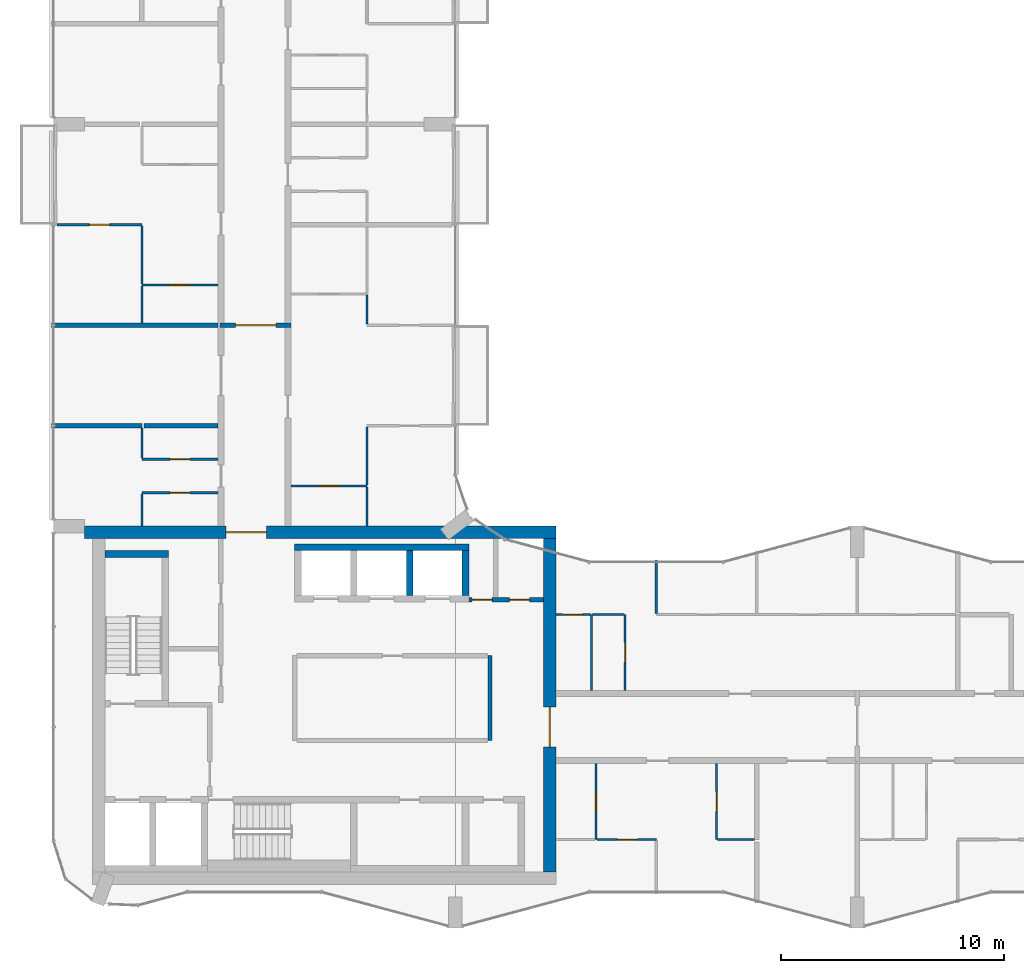
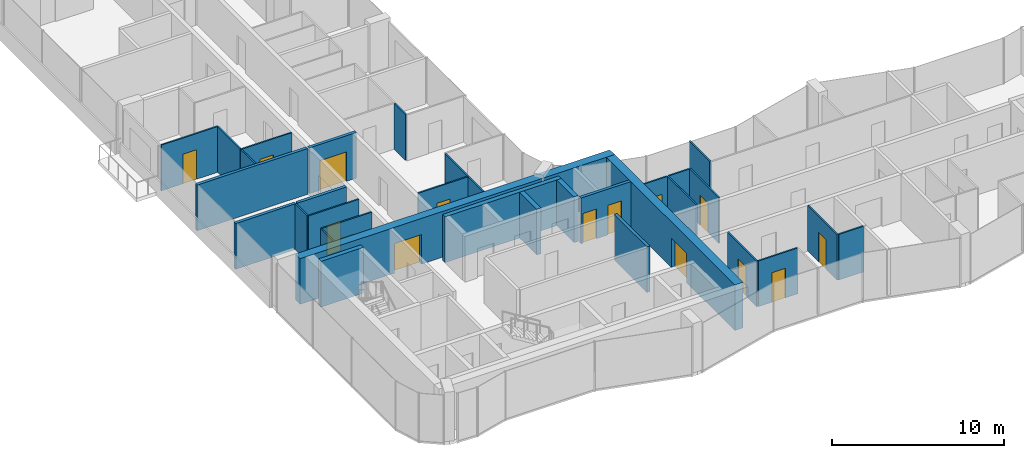
# One storey, part 10 of 15: 33 walls, 15 doors, 15 openings.
"""IFC4 building model written with IfcOpenShell, lengths in metres."""

from ifc_helpers import new_model, si_unit, direction, frame, frame_2d, origin, place, context, subcontext, project, spatial, rectangle, extrude, material, layer, layer_set, type_object, element, fill, save


model = new_model("IFC4")

# Units and contexts
model_context = context("Model", 3, precision=1e-05, world=origin(), true_north=direction((0.0, 1.0)))
body_context = subcontext(model_context, "Body", "Model", "MODEL_VIEW")
ifc_project = project(units=[si_unit("LENGTHUNIT", "METRE"), si_unit("AREAUNIT", "SQUARE_METRE"), si_unit("VOLUMEUNIT", "CUBIC_METRE"), si_unit("PLANEANGLEUNIT", "RADIAN"), si_unit("MASSUNIT", "GRAM", prefix="KILO")], contexts=[model_context])

# Site, building, storey
site_placement = place(None, origin())
site = spatial("IfcSite", under=ifc_project, at=site_placement, CompositionType="ELEMENT")
building_placement = place(site_placement, origin())
building = spatial("IfcBuilding", under=site, at=building_placement, Name="Plateau Cross Towers", CompositionType="ELEMENT")
storey_placement = place(building_placement, frame((0.0, 0.0, 204.89990234375)))
storey = spatial("IfcBuildingStorey", under=building, at=storey_placement, Name="L53", CompositionType="ELEMENT", Elevation=204.89990234375)

# Wall
ifc_material_1 = material(Name="Concrete block, plastered both sides", Category="concrete")
ifc_layer_1 = layer(ifc_material_1, 0.199951171875)
ifc_layer_set_1 = layer_set([ifc_layer_1], Name="Concrete block, plastered both sides")
wall_type_1 = type_object("IfcWallType", Name="Core partition 200", PredefinedType="PARTITIONING", material=ifc_layer_set_1)
wall_1_placement = place(storey_placement, frame((19.550048828125, 8.39990234375, 0.0), z_axis=(0.0, 0.0, 1.0), x_axis=(0.0, 1.0, 0.0)))
element("IfcWall", 1, at=wall_1_placement, inside=storey, type_object=wall_type_1, Name="Core partition", PredefinedType="PARTITIONING", context=body_context, shape_type="SweptSolid", body=[
    extrude(rectangle(XDim=3.800048828125, YDim=0.199951171875, at=frame_2d((1.89990234375, 0.0))), origin(), (0.0, 0.0, 1.0), 3.25),
])

# Wall, openings, doors
wall_2_placement = place(storey_placement, frame((18.60009765625, 14.699951171875, 0.0), z_axis=(0.0, 0.0, 1.0), x_axis=(1.0, 0.0, 0.0)))
wall_2 = element("IfcWall", 2, at=wall_2_placement, inside=storey, type_object=wall_type_1, Name="Core partition", PredefinedType="PARTITIONING", context=body_context, shape_type="SweptSolid", body=[
    extrude(rectangle(XDim=3.349853515625, YDim=0.199951171875, at=frame_2d((1.6748046875, 0.0))), origin(), (0.0, 0.0, 1.0), 3.25),
])
opening_1_placement = place(wall_2_placement, frame((0.14990234375, 0.0, 0.0)))
opening_1 = element("IfcOpeningElement", 3, at=opening_1_placement, cuts=wall_2, Name="Opening RD2", PredefinedType="OPENING", context=body_context, shape_type="SweptSolid", body=[
    extrude(rectangle(XDim=0.89990234375, YDim=2.10009765625, at=frame_2d((0.449951171875, 1.050048828125))), frame((0.0, 0.10986328125, 0.0), z_axis=(0.0, -1.0, 0.0), x_axis=(1.0, 0.0, 0.0)), (0.0, 0.0, 1.0), 0.219970703125),
])
opening_2_placement = place(wall_2_placement, frame((1.824951171875, 0.0, 0.0)))
opening_2 = element("IfcOpeningElement", 4, at=opening_2_placement, cuts=wall_2, Name="Opening RD2", PredefinedType="OPENING", context=body_context, shape_type="SweptSolid", body=[
    extrude(rectangle(XDim=0.89990234375, YDim=2.10009765625, at=frame_2d((0.449951171875, 1.050048828125))), frame((0.0, 0.10986328125, 0.0), z_axis=(0.0, -1.0, 0.0), x_axis=(1.0, 0.0, 0.0)), (0.0, 0.0, 1.0), 0.219970703125),
])
ifc_material_2 = material(Name="Steel, fire-resisting leaf", Category="steel")
door_type_1 = type_object("IfcDoorType", Name="Core riser door 900", OperationType="NOTDEFINED", PredefinedType="DOOR", material=ifc_material_2)
door_1_placement = place(opening_1_placement, origin())
door_1 = element("IfcDoor", 5, at=door_1_placement, inside=storey, type_object=door_type_1, Name="Core riser door RD2", OperationType="SINGLE_SWING_LEFT", OverallHeight=2.10009765625, OverallWidth=0.89990234375, PredefinedType="DOOR", context=body_context, shape_type="SweptSolid", body=[
    extrude(rectangle(XDim=0.89990234375, YDim=2.10009765625, at=frame_2d((0.449951171875, 1.050048828125))), frame((0.0, 0.02490234375, 0.0), z_axis=(0.0, -1.0, 0.0), x_axis=(1.0, 0.0, 0.0)), (0.0, 0.0, 1.0), 0.050048828125),
])
fill(opening_1, door_1)
door_2_placement = place(opening_2_placement, origin())
door_2 = element("IfcDoor", 6, at=door_2_placement, inside=storey, type_object=door_type_1, Name="Core riser door RD2", OperationType="SINGLE_SWING_LEFT", OverallHeight=2.10009765625, OverallWidth=0.89990234375, PredefinedType="DOOR", context=body_context, shape_type="SweptSolid", body=[
    extrude(rectangle(XDim=0.89990234375, YDim=2.10009765625, at=frame_2d((0.449951171875, 1.050048828125))), frame((0.0, 0.02490234375, 0.0), z_axis=(0.0, -1.0, 0.0), x_axis=(1.0, 0.0, 0.0)), (0.0, 0.0, 1.0), 0.050048828125),
])
fill(opening_2, door_2)

# Walls
ifc_material_3 = material(Name="Concrete C60/75", Category="concrete")
ifc_layer_2 = layer(ifc_material_3, 0.300048828125)
ifc_layer_set_2 = layer_set([ifc_layer_2], Name="Concrete C60/75")
wall_type_2 = type_object("IfcWallType", Name="Core shaft wall 300", PredefinedType="SHEAR", material=ifc_layer_set_2)
wall_3_placement = place(storey_placement, frame((2.300048828125, 16.75, 0.0), z_axis=(0.0, 0.0, 1.0), x_axis=(1.0, 0.0, 0.0)))
element("IfcWall", 7, at=wall_3_placement, inside=storey, type_object=wall_type_2, Name="A-st1-N@L53", PredefinedType="SHEAR", context=body_context, shape_type="SweptSolid", body=[
    extrude(rectangle(XDim=2.849853515625, YDim=0.300048828125, at=frame_2d((1.4248046875, 0.0))), origin(), (0.0, 0.0, 1.0), 3.25),
])
wall_4_placement = place(storey_placement, frame((10.800048828125, 17.050048828125, 0.0), z_axis=(0.0, 0.0, 1.0), x_axis=(1.0, 0.0, 0.0)))
element("IfcWall", 8, at=wall_4_placement, inside=storey, type_object=wall_type_2, Name="A-nb-back@L53", PredefinedType="SHEAR", context=body_context, shape_type="SweptSolid", body=[
    extrude(rectangle(XDim=7.800048828125, YDim=0.300048828125, at=frame_2d((3.89990234375, 0.0))), origin(), (0.0, 0.0, 1.0), 3.25),
])
for number, where, z_axis, x_axis, name in (
    (9, (15.949951171875, 14.89990234375, 0.0), (0.0, 0.0, 1.0), (0.0, 1.0, 0.0), "A-nb-v3@L53"),
    (10, (18.449951171875, 14.89990234375, 0.0), (0.0, 0.0, 1.0), (0.0, 1.0, 0.0), "A-nb-v4@L53"),
):
    element("IfcWall", number, at=place(storey_placement, frame(where, z_axis=z_axis, x_axis=x_axis)), inside=storey, type_object=wall_type_2, Name=name, PredefinedType="SHEAR", context=body_context, shape_type="SweptSolid", body=[
        extrude(rectangle(XDim=2.0, YDim=0.300048828125, at=frame_2d((1.0, 0.0))), origin(), (0.0, 0.0, 1.0), 3.25),
    ])

# Wall, opening, door
ifc_layer_3 = layer(ifc_material_3, 0.550048828125)
ifc_layer_set_3 = layer_set([ifc_layer_3], Name="Concrete C60/75")
wall_type_3 = type_object("IfcWallType", Name="Core shell wall 550", PredefinedType="SHEAR", material=ifc_layer_set_3)
wall_5_placement = place(storey_placement, frame((1.3798828125, 17.72509765625, 0.0), z_axis=(0.0, 0.0, 1.0), x_axis=(1.0, 0.0, 0.0)))
wall_5 = element("IfcWall", 11, at=wall_5_placement, inside=storey, type_object=wall_type_3, Name="A-core-N@L53", PredefinedType="SHEAR", context=body_context, shape_type="SweptSolid", body=[
    extrude(rectangle(XDim=21.1201171875, YDim=0.550048828125, at=frame_2d((10.56005859375, 0.0))), origin(), (0.0, 0.0, 1.0), 3.25),
])
opening_3_placement = place(wall_5_placement, frame((6.35009765625, 0.0, 0.0)))
opening_3 = element("IfcOpeningElement", 12, at=opening_3_placement, cuts=wall_5, Name="Opening CD", PredefinedType="OPENING", context=body_context, shape_type="SweptSolid", body=[
    extrude(rectangle(XDim=1.800048828125, YDim=2.10009765625, at=frame_2d((0.89990234375, 1.050048828125))), frame((0.0, 0.284912109375, 0.0), z_axis=(0.0, -1.0, 0.0), x_axis=(1.0, 0.0, 0.0)), (0.0, 0.0, 1.0), 0.570068359375),
])
ifc_material_4 = material(Name="Steel, fire-resisting leaves", Category="steel")
door_type_2 = type_object("IfcDoorType", Name="Corridor door pair 1800", OperationType="NOTDEFINED", PredefinedType="DOOR", material=ifc_material_4)
door_3_placement = place(opening_3_placement, origin())
door_3 = element("IfcDoor", 13, at=door_3_placement, inside=storey, type_object=door_type_2, Name="Corridor door pair CD", OperationType="DOUBLE_DOOR_SINGLE_SWING", OverallHeight=2.10009765625, OverallWidth=1.800048828125, PredefinedType="DOOR", context=body_context, shape_type="SweptSolid", body=[
    extrude(rectangle(XDim=1.800048828125, YDim=2.10009765625, at=frame_2d((0.89990234375, 1.050048828125))), frame((0.0, 0.02490234375, 0.0), z_axis=(0.0, -1.0, 0.0), x_axis=(1.0, 0.0, 0.0)), (0.0, 0.0, 1.0), 0.050048828125),
])
fill(opening_3, door_3)

wall_6_placement = place(storey_placement, frame((22.22509765625, 2.5, 0.0), z_axis=(0.0, 0.0, 1.0), x_axis=(0.0, 1.0, 0.0)))
wall_6 = element("IfcWall", 14, at=wall_6_placement, inside=storey, type_object=wall_type_3, Name="A-core-E@L53", PredefinedType="SHEAR", context=body_context, shape_type="SweptSolid", body=[
    extrude(rectangle(XDim=14.949951171875, YDim=0.550048828125, at=frame_2d((7.47509765625, 0.0))), origin(), (0.0, 0.0, 1.0), 3.25),
])
opening_4_placement = place(wall_6_placement, frame((5.60009765625, 0.0, 0.0)))
opening_4 = element("IfcOpeningElement", 15, at=opening_4_placement, cuts=wall_6, Name="Opening CD", PredefinedType="OPENING", context=body_context, shape_type="SweptSolid", body=[
    extrude(rectangle(XDim=1.800048828125, YDim=2.10009765625, at=frame_2d((0.89990234375, 1.050048828125))), frame((0.0, 0.284912109375, 0.0), z_axis=(0.0, -1.0, 0.0), x_axis=(1.0, 0.0, 0.0)), (0.0, 0.0, 1.0), 0.570068359375),
])
door_4_placement = place(opening_4_placement, origin())
door_4 = element("IfcDoor", 16, at=door_4_placement, inside=storey, type_object=door_type_2, Name="Corridor door pair CD", OperationType="DOUBLE_DOOR_SINGLE_SWING", OverallHeight=2.10009765625, OverallWidth=1.800048828125, PredefinedType="DOOR", context=body_context, shape_type="SweptSolid", body=[
    extrude(rectangle(XDim=1.800048828125, YDim=2.10009765625, at=frame_2d((0.89990234375, 1.050048828125))), frame((0.0, 0.02490234375, 0.0), z_axis=(0.0, -1.0, 0.0), x_axis=(1.0, 0.0, 0.0)), (0.0, 0.0, 1.0), 0.050048828125),
])
fill(opening_4, door_4)

ifc_material_5 = material(Name="Gypsum board on steel studs", Category="steel")
ifc_layer_4 = layer(ifc_material_5, 0.10009765625)
ifc_layer_set_4 = layer_set([ifc_layer_4], Name="Gypsum board on steel studs")
wall_type_4 = type_object("IfcWallType", Name="Flat partition 100", PredefinedType="PARTITIONING", material=ifc_layer_set_4)
wall_7_placement = place(storey_placement, frame((27.0, 3.96240234375, 0.0), z_axis=(0.0, 0.0, 1.0), x_axis=(-1.0, 0.0, 0.0)))
wall_7 = element("IfcWall", 17, at=wall_7_placement, inside=storey, type_object=wall_type_4, Name="Partition wall", PredefinedType="PARTITIONING", context=body_context, shape_type="SweptSolid", body=[
    extrude(rectangle(XDim=2.64990234375, YDim=0.10009765625, at=frame_2d((1.324951171875, 0.0))), origin(), (0.0, 0.0, 1.0), 3.25),
])
opening_5_placement = place(wall_7_placement, frame((0.85009765625, 0.0, 0.0)))
opening_5 = element("IfcOpeningElement", 18, at=opening_5_placement, cuts=wall_7, Name="Opening 53-22", PredefinedType="OPENING", context=body_context, shape_type="SweptSolid", body=[
    extrude(rectangle(XDim=0.89990234375, YDim=2.10009765625, at=frame_2d((0.449951171875, 1.050048828125))), frame((0.0, 0.06005859375, 0.0), z_axis=(0.0, -1.0, 0.0), x_axis=(1.0, 0.0, 0.0)), (0.0, 0.0, 1.0), 0.1201171875),
])
ifc_material_6 = material(Name="Timber leaf", Category="wood")
door_type_3 = type_object("IfcDoorType", Name="Flat room door 900", OperationType="NOTDEFINED", PredefinedType="DOOR", material=ifc_material_6)
door_5_placement = place(opening_5_placement, origin())
door_5 = element("IfcDoor", 19, at=door_5_placement, inside=storey, type_object=door_type_3, Name="Door 53-22", OperationType="SINGLE_SWING_LEFT", OverallHeight=2.10009765625, OverallWidth=0.89990234375, PredefinedType="DOOR", context=body_context, shape_type="SweptSolid", body=[
    extrude(rectangle(XDim=0.89990234375, YDim=2.10009765625, at=frame_2d((0.449951171875, 1.050048828125))), frame((0.0, 0.02490234375, 0.0), z_axis=(0.0, -1.0, 0.0), x_axis=(1.0, 0.0, 0.0)), (0.0, 0.0, 1.0), 0.050048828125),
])
fill(opening_5, door_5)

# Wall
wall_8_placement = place(storey_placement, frame((29.75, 3.96240234375, 0.0), z_axis=(0.0, 0.0, 1.0), x_axis=(1.0, 0.0, 0.0)))
element("IfcWall", 20, at=wall_8_placement, inside=storey, type_object=wall_type_4, Name="Partition wall", PredefinedType="PARTITIONING", context=body_context, shape_type="SweptSolid", body=[
    extrude(rectangle(XDim=1.64990234375, YDim=0.10009765625, at=frame_2d((0.824951171875, 0.0))), origin(), (0.0, 0.0, 1.0), 3.25),
])

# Wall, opening, door
wall_9_placement = place(storey_placement, frame((24.050048828125, 14.03759765625, 0.0), z_axis=(0.0, 0.0, 1.0), x_axis=(-1.0, 0.0, 0.0)))
wall_9 = element("IfcWall", 21, at=wall_9_placement, inside=storey, type_object=wall_type_4, Name="Partition wall", PredefinedType="PARTITIONING", context=body_context, shape_type="SweptSolid", body=[
    extrude(rectangle(XDim=1.550048828125, YDim=0.10009765625, at=frame_2d((0.77490234375, 0.0))), origin(), (0.0, 0.0, 1.0), 3.25),
])
opening_6_placement = place(wall_9_placement, frame((0.35009765625, 0.0, 0.0)))
opening_6 = element("IfcOpeningElement", 22, at=opening_6_placement, cuts=wall_9, Name="Opening 53-28", PredefinedType="OPENING", context=body_context, shape_type="SweptSolid", body=[
    extrude(rectangle(XDim=0.89990234375, YDim=2.10009765625, at=frame_2d((0.449951171875, 1.050048828125))), frame((0.0, 0.06005859375, 0.0), z_axis=(0.0, -1.0, 0.0), x_axis=(1.0, 0.0, 0.0)), (0.0, 0.0, 1.0), 0.1201171875),
])
door_6_placement = place(opening_6_placement, origin())
door_6 = element("IfcDoor", 23, at=door_6_placement, inside=storey, type_object=door_type_3, Name="Door 53-28", OperationType="SINGLE_SWING_RIGHT", OverallHeight=2.10009765625, OverallWidth=0.89990234375, PredefinedType="DOOR", context=body_context, shape_type="SweptSolid", body=[
    extrude(rectangle(XDim=0.89990234375, YDim=2.10009765625, at=frame_2d((0.449951171875, 1.050048828125))), frame((0.0, 0.02490234375, 0.0), z_axis=(0.0, -1.0, 0.0), x_axis=(1.0, 0.0, 0.0)), (0.0, 0.0, 1.0), 0.050048828125),
])
fill(opening_6, door_6)

# Wall
wall_10_placement = place(storey_placement, frame((25.550048828125, 14.03759765625, 0.0), z_axis=(0.0, 0.0, 1.0), x_axis=(-1.0, 0.0, 0.0)))
element("IfcWall", 24, at=wall_10_placement, inside=storey, type_object=wall_type_4, Name="Partition wall", PredefinedType="PARTITIONING", context=body_context, shape_type="SweptSolid", body=[
    extrude(rectangle(XDim=1.400146484375, YDim=0.10009765625, at=frame_2d((0.7001953125, 0.0))), origin(), (0.0, 0.0, 1.0), 3.25),
])

# Wall, opening, door
wall_11_placement = place(storey_placement, frame((7.362548828125, 19.5, 0.0), z_axis=(0.0, 0.0, 1.0), x_axis=(-1.0, 0.0, 0.0)))
wall_11 = element("IfcWall", 25, at=wall_11_placement, inside=storey, type_object=wall_type_4, Name="Partition wall", PredefinedType="PARTITIONING", context=body_context, shape_type="SweptSolid", body=[
    extrude(rectangle(XDim=3.400146484375, YDim=0.10009765625, at=frame_2d((1.7001953125, 0.0))), origin(), (0.0, 0.0, 1.0), 3.25),
])
opening_7_placement = place(wall_11_placement, frame((1.25, 0.0, 0.0)))
opening_7 = element("IfcOpeningElement", 26, at=opening_7_placement, cuts=wall_11, Name="Opening 53-33", PredefinedType="OPENING", context=body_context, shape_type="SweptSolid", body=[
    extrude(rectangle(XDim=0.89990234375, YDim=2.10009765625, at=frame_2d((0.449951171875, 1.050048828125))), frame((0.0, 0.06005859375, 0.0), z_axis=(0.0, -1.0, 0.0), x_axis=(1.0, 0.0, 0.0)), (0.0, 0.0, 1.0), 0.1201171875),
])
door_7_placement = place(opening_7_placement, origin())
door_7 = element("IfcDoor", 27, at=door_7_placement, inside=storey, type_object=door_type_3, Name="Door 53-33", OperationType="SINGLE_SWING_LEFT", OverallHeight=2.10009765625, OverallWidth=0.89990234375, PredefinedType="DOOR", context=body_context, shape_type="SweptSolid", body=[
    extrude(rectangle(XDim=0.89990234375, YDim=2.10009765625, at=frame_2d((0.449951171875, 1.050048828125))), frame((0.0, 0.02490234375, 0.0), z_axis=(0.0, -1.0, 0.0), x_axis=(1.0, 0.0, 0.0)), (0.0, 0.0, 1.0), 0.050048828125),
])
fill(opening_7, door_7)

wall_12_placement = place(storey_placement, frame((14.03759765625, 19.800048828125, 0.0), z_axis=(0.0, 0.0, 1.0), x_axis=(-1.0, 0.0, 0.0)))
wall_12 = element("IfcWall", 28, at=wall_12_placement, inside=storey, type_object=wall_type_4, Name="Partition wall", PredefinedType="PARTITIONING", context=body_context, shape_type="SweptSolid", body=[
    extrude(rectangle(XDim=3.400146484375, YDim=0.10009765625, at=frame_2d((1.7001953125, 0.0))), origin(), (0.0, 0.0, 1.0), 3.25),
])
opening_8_placement = place(wall_12_placement, frame((1.25, 0.0, 0.0)))
opening_8 = element("IfcOpeningElement", 29, at=opening_8_placement, cuts=wall_12, Name="Opening 53-38", PredefinedType="OPENING", context=body_context, shape_type="SweptSolid", body=[
    extrude(rectangle(XDim=0.89990234375, YDim=2.10009765625, at=frame_2d((0.449951171875, 1.050048828125))), frame((0.0, 0.06005859375, 0.0), z_axis=(0.0, -1.0, 0.0), x_axis=(1.0, 0.0, 0.0)), (0.0, 0.0, 1.0), 0.1201171875),
])
door_8_placement = place(opening_8_placement, origin())
door_8 = element("IfcDoor", 30, at=door_8_placement, inside=storey, type_object=door_type_3, Name="Door 53-38", OperationType="SINGLE_SWING_LEFT", OverallHeight=2.10009765625, OverallWidth=0.89990234375, PredefinedType="DOOR", context=body_context, shape_type="SweptSolid", body=[
    extrude(rectangle(XDim=0.89990234375, YDim=2.10009765625, at=frame_2d((0.449951171875, 1.050048828125))), frame((0.0, 0.02490234375, 0.0), z_axis=(0.0, -1.0, 0.0), x_axis=(1.0, 0.0, 0.0)), (0.0, 0.0, 1.0), 0.050048828125),
])
fill(opening_8, door_8)

wall_13_placement = place(storey_placement, frame((3.96240234375, 21.0, 0.0), z_axis=(0.0, 0.0, 1.0), x_axis=(1.0, 0.0, 0.0)))
wall_13 = element("IfcWall", 31, at=wall_13_placement, inside=storey, type_object=wall_type_4, Name="Partition wall", PredefinedType="PARTITIONING", context=body_context, shape_type="SweptSolid", body=[
    extrude(rectangle(XDim=3.400146484375, YDim=0.10009765625, at=frame_2d((1.7001953125, 0.0))), origin(), (0.0, 0.0, 1.0), 3.25),
])
opening_9_placement = place(wall_13_placement, frame((1.25, 0.0, 0.0)))
opening_9 = element("IfcOpeningElement", 32, at=opening_9_placement, cuts=wall_13, Name="Opening 53-34", PredefinedType="OPENING", context=body_context, shape_type="SweptSolid", body=[
    extrude(rectangle(XDim=0.89990234375, YDim=2.10009765625, at=frame_2d((0.449951171875, 1.050048828125))), frame((0.0, 0.06005859375, 0.0), z_axis=(0.0, -1.0, 0.0), x_axis=(1.0, 0.0, 0.0)), (0.0, 0.0, 1.0), 0.1201171875),
])
door_9_placement = place(opening_9_placement, origin())
door_9 = element("IfcDoor", 33, at=door_9_placement, inside=storey, type_object=door_type_3, Name="Door 53-34", OperationType="SINGLE_SWING_LEFT", OverallHeight=2.10009765625, OverallWidth=0.89990234375, PredefinedType="DOOR", context=body_context, shape_type="SweptSolid", body=[
    extrude(rectangle(XDim=0.89990234375, YDim=2.10009765625, at=frame_2d((0.449951171875, 1.050048828125))), frame((0.0, 0.02490234375, 0.0), z_axis=(0.0, -1.0, 0.0), x_axis=(1.0, 0.0, 0.0)), (0.0, 0.0, 1.0), 0.050048828125),
])
fill(opening_9, door_9)

wall_14_placement = place(storey_placement, frame((7.362548828125, 28.800048828125, 0.0), z_axis=(0.0, 0.0, 1.0), x_axis=(-1.0, 0.0, 0.0)))
wall_14 = element("IfcWall", 34, at=wall_14_placement, inside=storey, type_object=wall_type_4, Name="Partition wall", PredefinedType="PARTITIONING", context=body_context, shape_type="SweptSolid", body=[
    extrude(rectangle(XDim=3.400146484375, YDim=0.10009765625, at=frame_2d((1.7001953125, 0.0))), origin(), (0.0, 0.0, 1.0), 3.25),
])
opening_10_placement = place(wall_14_placement, frame((1.25, 0.0, 0.0)))
opening_10 = element("IfcOpeningElement", 35, at=opening_10_placement, cuts=wall_14, Name="Opening 53-35", PredefinedType="OPENING", context=body_context, shape_type="SweptSolid", body=[
    extrude(rectangle(XDim=0.89990234375, YDim=2.10009765625, at=frame_2d((0.449951171875, 1.050048828125))), frame((0.0, 0.06005859375, 0.0), z_axis=(0.0, -1.0, 0.0), x_axis=(1.0, 0.0, 0.0)), (0.0, 0.0, 1.0), 0.1201171875),
])
door_10_placement = place(opening_10_placement, origin())
door_10 = element("IfcDoor", 36, at=door_10_placement, inside=storey, type_object=door_type_3, Name="Door 53-35", OperationType="SINGLE_SWING_LEFT", OverallHeight=2.10009765625, OverallWidth=0.89990234375, PredefinedType="DOOR", context=body_context, shape_type="SweptSolid", body=[
    extrude(rectangle(XDim=0.89990234375, YDim=2.10009765625, at=frame_2d((0.449951171875, 1.050048828125))), frame((0.0, 0.02490234375, 0.0), z_axis=(0.0, -1.0, 0.0), x_axis=(1.0, 0.0, 0.0)), (0.0, 0.0, 1.0), 0.050048828125),
])
fill(opening_10, door_10)

wall_15_placement = place(storey_placement, frame((3.96240234375, 31.5, 0.0), z_axis=(0.0, 0.0, 1.0), x_axis=(-1.0, 0.0, 0.0)))
wall_15 = element("IfcWall", 37, at=wall_15_placement, inside=storey, type_object=wall_type_4, Name="Partition wall", PredefinedType="PARTITIONING", context=body_context, shape_type="SweptSolid", body=[
    extrude(rectangle(XDim=3.8125, YDim=0.10009765625, at=frame_2d((1.90625, 0.0))), origin(), (0.0, 0.0, 1.0), 3.25),
])
opening_11_placement = place(wall_15_placement, frame((1.449951171875, 0.0, 0.0)))
opening_11 = element("IfcOpeningElement", 38, at=opening_11_placement, cuts=wall_15, Name="Opening 53-37", PredefinedType="OPENING", context=body_context, shape_type="SweptSolid", body=[
    extrude(rectangle(XDim=0.89990234375, YDim=2.10009765625, at=frame_2d((0.449951171875, 1.050048828125))), frame((0.0, 0.06005859375, 0.0), z_axis=(0.0, -1.0, 0.0), x_axis=(1.0, 0.0, 0.0)), (0.0, 0.0, 1.0), 0.1201171875),
])
door_11_placement = place(opening_11_placement, origin())
door_11 = element("IfcDoor", 39, at=door_11_placement, inside=storey, type_object=door_type_3, Name="Door 53-37", OperationType="SINGLE_SWING_LEFT", OverallHeight=2.10009765625, OverallWidth=0.89990234375, PredefinedType="DOOR", context=body_context, shape_type="SweptSolid", body=[
    extrude(rectangle(XDim=0.89990234375, YDim=2.10009765625, at=frame_2d((0.449951171875, 1.050048828125))), frame((0.0, 0.02490234375, 0.0), z_axis=(0.0, -1.0, 0.0), x_axis=(1.0, 0.0, 0.0)), (0.0, 0.0, 1.0), 0.050048828125),
])
fill(opening_11, door_11)

# Walls
wall_16_placement = place(storey_placement, frame((3.96240234375, 19.449951171875, 0.0), z_axis=(0.0, 0.0, 1.0), x_axis=(0.0, -1.0, 0.0)))
element("IfcWall", 40, at=wall_16_placement, inside=storey, type_object=wall_type_4, Name="Partition wall", PredefinedType="PARTITIONING", context=body_context, shape_type="SweptSolid", body=[
    extrude(rectangle(XDim=1.449951171875, YDim=0.10009765625, at=frame_2d((0.72509765625, 0.0))), origin(), (0.0, 0.0, 1.0), 3.25),
])
wall_17_placement = place(storey_placement, frame((3.96240234375, 22.39990234375, 0.0), z_axis=(0.0, 0.0, 1.0), x_axis=(0.0, -1.0, 0.0)))
element("IfcWall", 41, at=wall_17_placement, inside=storey, type_object=wall_type_4, Name="Partition wall", PredefinedType="PARTITIONING", context=body_context, shape_type="SweptSolid", body=[
    extrude(rectangle(XDim=1.349853515625, YDim=0.10009765625, at=frame_2d((0.6748046875, 0.0))), origin(), (0.0, 0.0, 1.0), 3.25),
])
wall_18_placement = place(storey_placement, frame((3.96240234375, 28.75, 0.0), z_axis=(0.0, 0.0, 1.0), x_axis=(0.0, -1.0, 0.0)))
element("IfcWall", 42, at=wall_18_placement, inside=storey, type_object=wall_type_4, Name="Partition wall", PredefinedType="PARTITIONING", context=body_context, shape_type="SweptSolid", body=[
    extrude(rectangle(XDim=1.64990234375, YDim=0.10009765625, at=frame_2d((0.824951171875, 0.0))), origin(), (0.0, 0.0, 1.0), 3.25),
])
for number, where, z_axis, x_axis, name in (
    (43, (3.96240234375, 28.85009765625, 0.0), (0.0, 0.0, 1.0), (0.0, 1.0, 0.0), "Partition wall"),
    (44, (14.03759765625, 22.449951171875, 0.0), (0.0, 0.0, 1.0), (0.0, -1.0, 0.0), "Partition wall"),
):
    element("IfcWall", number, at=place(storey_placement, frame(where, z_axis=z_axis, x_axis=x_axis)), inside=storey, type_object=wall_type_4, Name=name, PredefinedType="PARTITIONING", context=body_context, shape_type="SweptSolid", body=[
        extrude(rectangle(XDim=2.599853515625, YDim=0.10009765625, at=frame_2d((1.2998046875, 0.0))), origin(), (0.0, 0.0, 1.0), 3.25),
    ])
wall_19_placement = place(storey_placement, frame((14.03759765625, 28.35009765625, 0.0), z_axis=(0.0, 0.0, 1.0), x_axis=(0.0, -1.0, 0.0)))
element("IfcWall", 45, at=wall_19_placement, inside=storey, type_object=wall_type_4, Name="Partition wall", PredefinedType="PARTITIONING", context=body_context, shape_type="SweptSolid", body=[
    extrude(rectangle(XDim=1.300048828125, YDim=0.10009765625, at=frame_2d((0.64990234375, 0.0))), origin(), (0.0, 0.0, 1.0), 3.25),
])
wall_20_placement = place(storey_placement, frame((14.03759765625, 18.0, 0.0), z_axis=(0.0, 0.0, 1.0), x_axis=(0.0, 1.0, 0.0)))
element("IfcWall", 46, at=wall_20_placement, inside=storey, type_object=wall_type_4, Name="Partition wall", PredefinedType="PARTITIONING", context=body_context, shape_type="SweptSolid", body=[
    extrude(rectangle(XDim=1.75, YDim=0.10009765625, at=frame_2d((0.875, 0.0))), origin(), (0.0, 0.0, 1.0), 3.25),
])
wall_21_placement = place(storey_placement, frame((24.10009765625, 10.637451171875, 0.0), z_axis=(0.0, 0.0, 1.0), x_axis=(0.0, 1.0, 0.0)))
element("IfcWall", 47, at=wall_21_placement, inside=storey, type_object=wall_type_4, Name="Partition wall", PredefinedType="PARTITIONING", context=body_context, shape_type="SweptSolid", body=[
    extrude(rectangle(XDim=3.400146484375, YDim=0.10009765625, at=frame_2d((1.7001953125, 0.0))), origin(), (0.0, 0.0, 1.0), 3.25),
])

# Wall, opening, door
wall_22_placement = place(storey_placement, frame((24.300048828125, 3.96240234375, 0.0), z_axis=(0.0, 0.0, 1.0), x_axis=(0.0, 1.0, 0.0)))
wall_22 = element("IfcWall", 48, at=wall_22_placement, inside=storey, type_object=wall_type_4, Name="Partition wall", PredefinedType="PARTITIONING", context=body_context, shape_type="SweptSolid", body=[
    extrude(rectangle(XDim=3.400146484375, YDim=0.10009765625, at=frame_2d((1.7001953125, 0.0))), origin(), (0.0, 0.0, 1.0), 3.25),
])
opening_12_placement = place(wall_22_placement, frame((1.25, 0.0, 0.0)))
opening_12 = element("IfcOpeningElement", 49, at=opening_12_placement, cuts=wall_22, Name="Opening 53-20", PredefinedType="OPENING", context=body_context, shape_type="SweptSolid", body=[
    extrude(rectangle(XDim=0.89990234375, YDim=2.10009765625, at=frame_2d((0.449951171875, 1.050048828125))), frame((0.0, 0.06005859375, 0.0), z_axis=(0.0, -1.0, 0.0), x_axis=(1.0, 0.0, 0.0)), (0.0, 0.0, 1.0), 0.1201171875),
])
door_12_placement = place(opening_12_placement, origin())
door_12 = element("IfcDoor", 50, at=door_12_placement, inside=storey, type_object=door_type_3, Name="Door 53-20", OperationType="SINGLE_SWING_LEFT", OverallHeight=2.10009765625, OverallWidth=0.89990234375, PredefinedType="DOOR", context=body_context, shape_type="SweptSolid", body=[
    extrude(rectangle(XDim=0.89990234375, YDim=2.10009765625, at=frame_2d((0.449951171875, 1.050048828125))), frame((0.0, 0.02490234375, 0.0), z_axis=(0.0, -1.0, 0.0), x_axis=(1.0, 0.0, 0.0)), (0.0, 0.0, 1.0), 0.050048828125),
])
fill(opening_12, door_12)

wall_23_placement = place(storey_placement, frame((25.60009765625, 10.637451171875, 0.0), z_axis=(0.0, 0.0, 1.0), x_axis=(0.0, 1.0, 0.0)))
wall_23 = element("IfcWall", 51, at=wall_23_placement, inside=storey, type_object=wall_type_4, Name="Partition wall", PredefinedType="PARTITIONING", context=body_context, shape_type="SweptSolid", body=[
    extrude(rectangle(XDim=3.400146484375, YDim=0.10009765625, at=frame_2d((1.7001953125, 0.0))), origin(), (0.0, 0.0, 1.0), 3.25),
])
opening_13_placement = place(wall_23_placement, frame((1.25, 0.0, 0.0)))
opening_13 = element("IfcOpeningElement", 52, at=opening_13_placement, cuts=wall_23, Name="Opening 53-29", PredefinedType="OPENING", context=body_context, shape_type="SweptSolid", body=[
    extrude(rectangle(XDim=0.89990234375, YDim=2.10009765625, at=frame_2d((0.449951171875, 1.050048828125))), frame((0.0, 0.06005859375, 0.0), z_axis=(0.0, -1.0, 0.0), x_axis=(1.0, 0.0, 0.0)), (0.0, 0.0, 1.0), 0.1201171875),
])
door_13_placement = place(opening_13_placement, origin())
door_13 = element("IfcDoor", 53, at=door_13_placement, inside=storey, type_object=door_type_3, Name="Door 53-29", OperationType="SINGLE_SWING_LEFT", OverallHeight=2.10009765625, OverallWidth=0.89990234375, PredefinedType="DOOR", context=body_context, shape_type="SweptSolid", body=[
    extrude(rectangle(XDim=0.89990234375, YDim=2.10009765625, at=frame_2d((0.449951171875, 1.050048828125))), frame((0.0, 0.02490234375, 0.0), z_axis=(0.0, -1.0, 0.0), x_axis=(1.0, 0.0, 0.0)), (0.0, 0.0, 1.0), 0.050048828125),
])
fill(opening_13, door_13)

# Wall
wall_24_placement = place(storey_placement, frame((27.0, 16.47314453125, 0.0), z_axis=(0.0, 0.0, 1.0), x_axis=(0.0, -1.0, 0.0)))
element("IfcWall", 54, at=wall_24_placement, inside=storey, type_object=wall_type_4, Name="Partition wall", PredefinedType="PARTITIONING", context=body_context, shape_type="SweptSolid", body=[
    extrude(rectangle(XDim=2.3857421875, YDim=0.10009765625, at=frame_2d((1.19287109375, 0.0))), origin(), (0.0, 0.0, 1.0), 3.25),
])

# Wall, opening, door
wall_25_placement = place(storey_placement, frame((29.699951171875, 7.362548828125, 0.0), z_axis=(0.0, 0.0, 1.0), x_axis=(0.0, -1.0, 0.0)))
wall_25 = element("IfcWall", 55, at=wall_25_placement, inside=storey, type_object=wall_type_4, Name="Partition wall", PredefinedType="PARTITIONING", context=body_context, shape_type="SweptSolid", body=[
    extrude(rectangle(XDim=3.400146484375, YDim=0.10009765625, at=frame_2d((1.7001953125, 0.0))), origin(), (0.0, 0.0, 1.0), 3.25),
])
opening_14_placement = place(wall_25_placement, frame((1.25, 0.0, 0.0)))
opening_14 = element("IfcOpeningElement", 56, at=opening_14_placement, cuts=wall_25, Name="Opening 53-21", PredefinedType="OPENING", context=body_context, shape_type="SweptSolid", body=[
    extrude(rectangle(XDim=0.89990234375, YDim=2.10009765625, at=frame_2d((0.449951171875, 1.050048828125))), frame((0.0, 0.06005859375, 0.0), z_axis=(0.0, -1.0, 0.0), x_axis=(1.0, 0.0, 0.0)), (0.0, 0.0, 1.0), 0.1201171875),
])
door_14_placement = place(opening_14_placement, origin())
door_14 = element("IfcDoor", 57, at=door_14_placement, inside=storey, type_object=door_type_3, Name="Door 53-21", OperationType="SINGLE_SWING_LEFT", OverallHeight=2.10009765625, OverallWidth=0.89990234375, PredefinedType="DOOR", context=body_context, shape_type="SweptSolid", body=[
    extrude(rectangle(XDim=0.89990234375, YDim=2.10009765625, at=frame_2d((0.449951171875, 1.050048828125))), frame((0.0, 0.02490234375, 0.0), z_axis=(0.0, -1.0, 0.0), x_axis=(1.0, 0.0, 0.0)), (0.0, 0.0, 1.0), 0.050048828125),
])
fill(opening_14, door_14)

# Walls
ifc_material_7 = material(Name="Gypsum board on steel studs, two layers each side", Category="steel")
ifc_layer_5 = layer(ifc_material_7, 0.199951171875)
ifc_layer_set_5 = layer_set([ifc_layer_5], Name="Gypsum board on steel studs, two layers each side")
wall_type_5 = type_object("IfcWallType", Name="Flat party wall 200", PredefinedType="PARTITIONING", material=ifc_layer_set_5)
wall_26_placement = place(storey_placement, frame((7.362548828125, 22.5, 0.0), z_axis=(0.0, 0.0, 1.0), x_axis=(-1.0, 0.0, 0.0)))
element("IfcWall", 58, at=wall_26_placement, inside=storey, type_object=wall_type_5, Name="Party wall", PredefinedType="PARTITIONING", context=body_context, shape_type="SweptSolid", body=[
    extrude(rectangle(XDim=3.300048828125, YDim=0.199951171875, at=frame_2d((1.64990234375, 0.0))), origin(), (0.0, 0.0, 1.0), 3.25),
])
wall_27_placement = place(storey_placement, frame((-0.080078125, 22.5, 0.0), z_axis=(0.0, 0.0, 1.0), x_axis=(1.0, 0.0, 0.0)))
element("IfcWall", 59, at=wall_27_placement, inside=storey, type_object=wall_type_5, Name="Party wall", PredefinedType="PARTITIONING", context=body_context, shape_type="SweptSolid", body=[
    extrude(rectangle(XDim=4.04248046875, YDim=0.199951171875, at=frame_2d((2.021240234375, 0.0))), origin(), (0.0, 0.0, 1.0), 3.25),
])
wall_28_placement = place(storey_placement, frame((7.362548828125, 27.0, 0.0), z_axis=(0.0, 0.0, 1.0), x_axis=(-1.0, 0.0, 0.0)))
element("IfcWall", 60, at=wall_28_placement, inside=storey, type_object=wall_type_5, Name="Party wall", PredefinedType="PARTITIONING", context=body_context, shape_type="SweptSolid", body=[
    extrude(rectangle(XDim=7.442626953125, YDim=0.199951171875, at=frame_2d((3.72119140625, 0.0))), origin(), (0.0, 0.0, 1.0), 3.25),
])

# Wall, opening, door
wall_29_placement = place(storey_placement, frame((7.46240234375, 27.0, 0.0), z_axis=(0.0, 0.0, 1.0), x_axis=(1.0, 0.0, 0.0)))
wall_29 = element("IfcWall", 61, at=wall_29_placement, inside=storey, type_object=wall_type_5, Name="Party wall", PredefinedType="PARTITIONING", context=body_context, shape_type="SweptSolid", body=[
    extrude(rectangle(XDim=3.175048828125, YDim=0.199951171875, at=frame_2d((1.58740234375, 0.0))), origin(), (0.0, 0.0, 1.0), 3.25),
])
opening_15_placement = place(wall_29_placement, frame((0.699951171875, 0.0, 0.0)))
opening_15 = element("IfcOpeningElement", 62, at=opening_15_placement, cuts=wall_29, Name="Opening 53-17", PredefinedType="OPENING", context=body_context, shape_type="SweptSolid", body=[
    extrude(rectangle(XDim=1.800048828125, YDim=2.10009765625, at=frame_2d((0.89990234375, 1.050048828125))), frame((0.0, 0.10986328125, 0.0), z_axis=(0.0, -1.0, 0.0), x_axis=(1.0, 0.0, 0.0)), (0.0, 0.0, 1.0), 0.219970703125),
])
ifc_material_8 = material(Name="Timber, fire-resisting leaves", Category="wood")
door_type_4 = type_object("IfcDoorType", Name="Flat floor fire door pair 1800", OperationType="NOTDEFINED", PredefinedType="DOOR", material=ifc_material_8)
door_15_placement = place(opening_15_placement, origin())
door_15 = element("IfcDoor", 63, at=door_15_placement, inside=storey, type_object=door_type_4, Name="Door 53-17", OperationType="SINGLE_SWING_RIGHT", OverallHeight=2.10009765625, OverallWidth=1.800048828125, PredefinedType="DOOR", context=body_context, shape_type="SweptSolid", body=[
    extrude(rectangle(XDim=1.800048828125, YDim=2.10009765625, at=frame_2d((0.89990234375, 1.050048828125))), frame((0.0, 0.02490234375, 0.0), z_axis=(0.0, -1.0, 0.0), x_axis=(1.0, 0.0, 0.0)), (0.0, 0.0, 1.0), 0.050048828125),
])
fill(opening_15, door_15)

save(model, "model.ifc")
